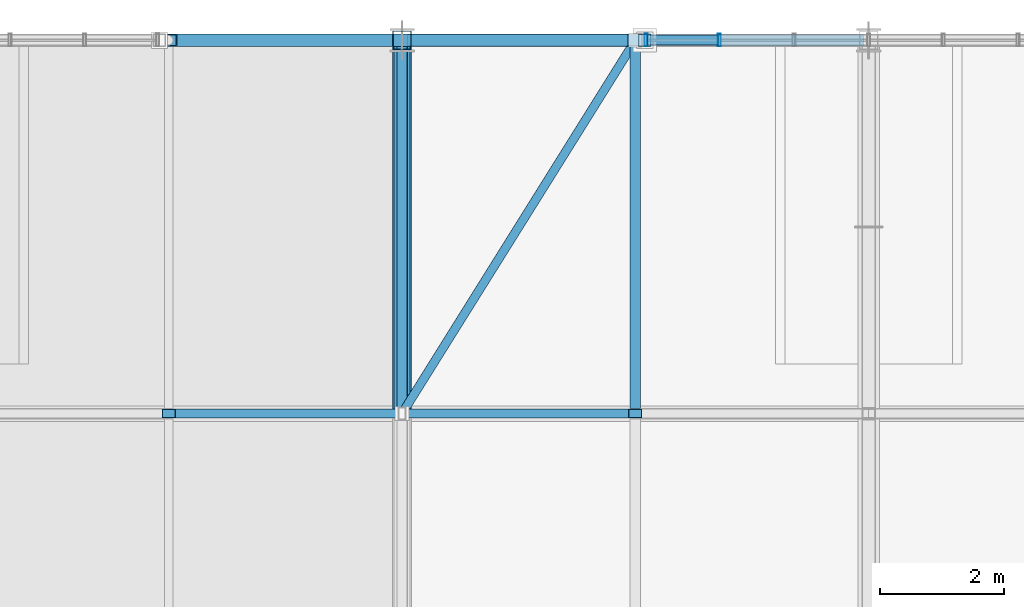
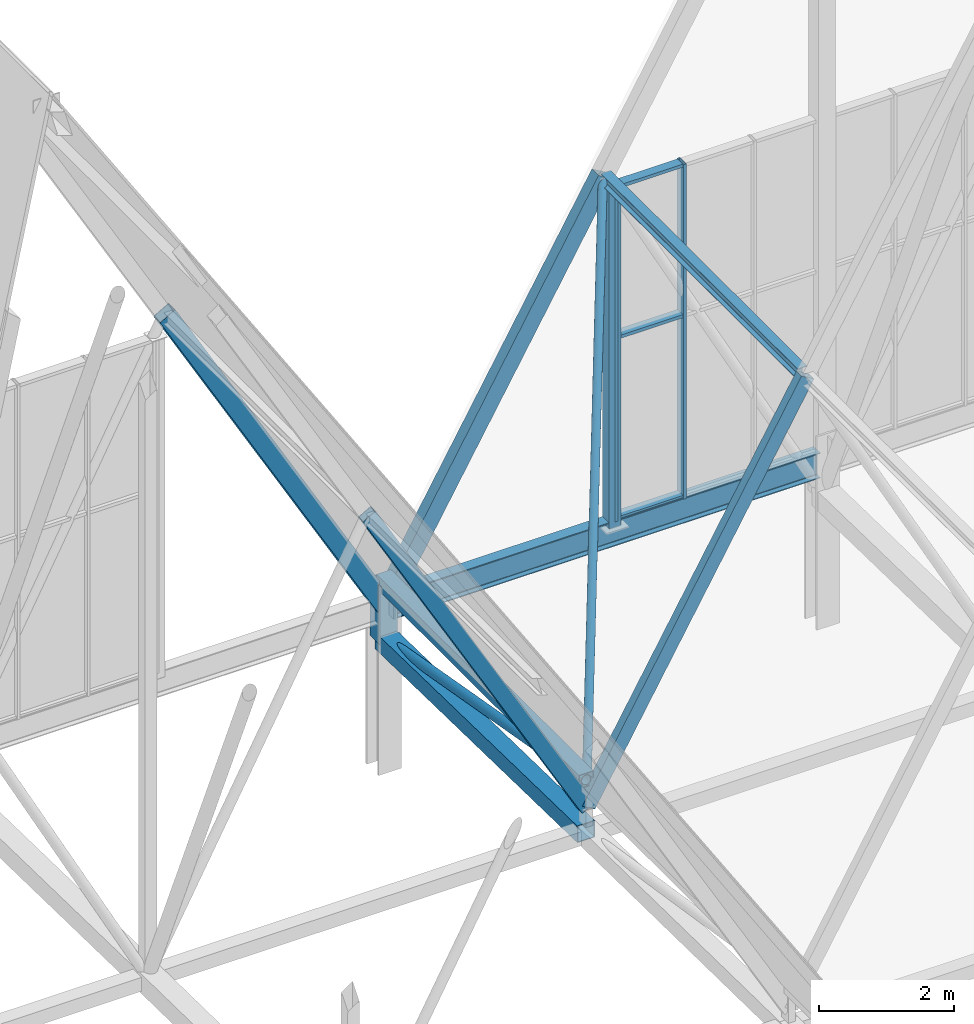
# One storey, part 158 of 324: 15 members, 2 beams, 1 element without a shape of its own.
"""IFC4 building model written with IfcOpenShell, lengths in metres."""

from ifc_helpers import new_model, si_unit, direction, frame, origin, origin_2d, place, context, subcontext, project, spatial, hollow_rectangle, hollow_circle, i_section, extrude, material, layer, layer_set, material_profile, profile_set, type_object, element, aggregate, save


model = new_model("IFC4")

# Units and contexts
model_context = context("Model", 3, precision=1e-05, world=origin(), true_north=direction((0.0, 1.0)))
body_context = subcontext(model_context, "Body", "Model", "MODEL_VIEW")
ifc_project = project(units=[si_unit("LENGTHUNIT", "METRE"), si_unit("AREAUNIT", "SQUARE_METRE"), si_unit("VOLUMEUNIT", "CUBIC_METRE"), si_unit("PLANEANGLEUNIT", "RADIAN"), si_unit("MASSUNIT", "GRAM", prefix="KILO")], contexts=[model_context])

# Site, building, storey
site_placement = place(None, origin())
site = spatial("IfcSite", under=ifc_project, at=site_placement, CompositionType="ELEMENT")
building_placement = place(site_placement, origin())
building = spatial("IfcBuilding", under=site, at=building_placement, Name="Solvenia Promenade Tram Depot", CompositionType="ELEMENT")
storey_placement = place(building_placement, frame((0.0, 0.0, 4.5)))
storey = spatial("IfcBuildingStorey", under=building, at=storey_placement, Name="L01", CompositionType="ELEMENT", Elevation=4.5)

# Curtain wall, members
ifc_material_1 = material(Name="Anodized aluminium AW-6063 T6", Category="aluminium")
ifc_layer = layer(ifc_material_1, 0.14990234375, Name="Anodized aluminium AW-6063 T6", Category="aluminium")
ifc_layer_set = layer_set([ifc_layer], Name="Anodized aluminium AW-6063 T6")
curtain_wall_type = type_object("IfcCurtainWallType", Name="CW-Gable-1200", PredefinedType="NOTDEFINED", material=ifc_layer_set)
curtain_wall_placement = place(storey_placement, origin())
curtain_wall = element("IfcCurtainWall", 1, at=curtain_wall_placement, inside=storey, type_object=curtain_wall_type, Name="North Zigzag Gable 07 Peak Glazing", PredefinedType="NOTDEFINED")
ifc_material_profile_1 = material_profile(ifc_material_1, hollow_rectangle(XDim=0.199951171875, YDim=0.048095703125, WallThickness=0.00390625, at=origin_2d()), Name="ALU-M3", Category="aluminium")
ifc_profile_set_1 = profile_set([ifc_material_profile_1], Name="Anodized aluminium AW-6063 T6")
member_type_1 = type_object("IfcMemberType", Name="CWM-Mullion-3", PredefinedType="MULLION", material=ifc_profile_set_1)
member_1_placement = place(storey_placement, frame((93.924072265625, 126.0, 3.10009765625), z_axis=(0.0, 0.0, 1.0), x_axis=(0.0, 1.0, 0.0)))
member_1 = element("IfcMember", 2, at=member_1_placement, type_object=member_type_1, Name="CW-3 mullion 1", PredefinedType="MULLION", context=body_context, shape_type="SweptSolid", body=[
    extrude(hollow_rectangle(XDim=0.199951171875, YDim=0.048095703125, WallThickness=0.00390625, at=origin_2d()), origin(), (0.0, 0.0, 1.0), 6.0498046875),
])
member_2_placement = place(storey_placement, frame((95.10009765625, 126.0, 3.10009765625), z_axis=(0.0, 0.0, 1.0), x_axis=(0.0, 1.0, 0.0)))
member_2 = element("IfcMember", 3, at=member_2_placement, type_object=member_type_1, Name="CW-3 mullion 2", PredefinedType="MULLION", context=body_context, shape_type="SweptSolid", body=[
    extrude(hollow_rectangle(XDim=0.199951171875, YDim=0.048095703125, WallThickness=0.00390625, at=origin_2d()), origin(), (0.0, 0.0, 1.0), 6.0498046875),
])
ifc_material_profile_2 = material_profile(ifc_material_1, hollow_rectangle(XDim=0.159912109375, YDim=0.05810546875, WallThickness=0.00390625, at=origin_2d()), Name="ALU-T3", Category="aluminium")
ifc_profile_set_2 = profile_set([ifc_material_profile_2], Name="Anodized aluminium AW-6063 T6")
member_type_2 = type_object("IfcMemberType", Name="CWT-Transom-3", PredefinedType="USERDEFINED", material=ifc_profile_set_2)
member_3_placement = place(storey_placement, frame((93.947998046875, 126.0, 3.12890625), z_axis=(1.0, 0.0, 0.0), x_axis=(0.0, 1.0, 0.0)))
member_3 = element("IfcMember", 4, at=member_3_placement, type_object=member_type_2, Name="CW-3 transom 1.1", ObjectType="TRANSOM", PredefinedType="USERDEFINED", context=body_context, shape_type="SweptSolid", body=[
    extrude(hollow_rectangle(XDim=0.159912109375, YDim=0.05810546875, WallThickness=0.00390625, at=origin_2d()), origin(), (0.0, 0.0, 1.0), 1.1279296875),
])
member_4_placement = place(storey_placement, frame((93.947998046875, 126.0, 6.39990234375), z_axis=(1.0, 0.0, 0.0), x_axis=(0.0, 1.0, 0.0)))
member_4 = element("IfcMember", 5, at=member_4_placement, type_object=member_type_2, Name="CW-3 transom 1.2", ObjectType="TRANSOM", PredefinedType="USERDEFINED", context=body_context, shape_type="SweptSolid", body=[
    extrude(hollow_rectangle(XDim=0.159912109375, YDim=0.05810546875, WallThickness=0.00390625, at=origin_2d()), origin(), (0.0, 0.0, 1.0), 1.1279296875),
])
member_5_placement = place(storey_placement, frame((93.947998046875, 126.0, 9.12109375), z_axis=(1.0, 0.0, 0.0), x_axis=(0.0, 1.0, 0.0)))
member_5 = element("IfcMember", 6, at=member_5_placement, type_object=member_type_2, Name="CW-3 transom 1.3", ObjectType="TRANSOM", PredefinedType="USERDEFINED", context=body_context, shape_type="SweptSolid", body=[
    extrude(hollow_rectangle(XDim=0.159912109375, YDim=0.05810546875, WallThickness=0.00390625, at=origin_2d()), origin(), (0.0, 0.0, 1.0), 1.1279296875),
])
aggregate(curtain_wall, [member_1, member_2, member_3, member_4, member_5])

# Members
ifc_material_2 = material(Name="Structural steel ASTM A500 Gr. C", Category="steel")
ifc_material_profile_3 = material_profile(ifc_material_2, hollow_rectangle(XDim=0.14990234375, YDim=0.25, WallThickness=0.010009765625, at=origin_2d()), Name="HSS250x150x10", Category="steel")
ifc_profile_set_3 = profile_set([ifc_material_profile_3], Name="Structural steel ASTM A500 Gr. C")
member_type_3 = type_object("IfcMemberType", Name="Chord-HSS250x150x10", PredefinedType="CHORD", material=ifc_profile_set_3)
member_6_placement = place(storey_placement, frame((86.25, 120.0, 9.501220703125), z_axis=(0.494861595532, 0.0, -0.868971806946), x_axis=(0.0, 1.0, 0.0)))
element("IfcMember", 7, at=member_6_placement, inside=storey, type_object=member_type_3, Name="Zigzag Gable 06 East Lower Rafter", PredefinedType="CHORD", context=body_context, shape_type="SweptSolid", body=[
    extrude(hollow_rectangle(XDim=0.14990234375, YDim=0.25, WallThickness=0.010009765625, at=origin_2d()), origin(), (0.0, 0.0, 1.0), 7.577880859375),
])
member_7_placement = place(storey_placement, frame((90.0, 120.0, 2.921142578125), z_axis=(0.501516268578, 0.0, 0.865148214095), x_axis=(0.0, 1.0, 0.0)))
element("IfcMember", 8, at=member_7_placement, inside=storey, type_object=member_type_3, Name="Zigzag Gable 07 West Lower Rafter", PredefinedType="CHORD", context=body_context, shape_type="SweptSolid", body=[
    extrude(hollow_rectangle(XDim=0.14990234375, YDim=0.25, WallThickness=0.010009765625, at=origin_2d()), origin(), (0.0, 0.0, 1.0), 7.477294921875),
])
ifc_material_profile_4 = material_profile(ifc_material_2, hollow_rectangle(XDim=0.25, YDim=0.25, WallThickness=0.010009765625, at=origin_2d()), Name="HSS250x250x10", Category="steel")
ifc_profile_set_4 = profile_set([ifc_material_profile_4], Name="Structural steel ASTM A500 Gr. C")
member_type_4 = type_object("IfcMemberType", Name="Chord-HSS250x250x10", PredefinedType="CHORD", material=ifc_profile_set_4)
member_8_placement = place(storey_placement, frame((90.0, 120.0, 3.3798828125), z_axis=(0.0, 1.0, 0.0), x_axis=(-1.0, 0.0, 0.0)))
element("IfcMember", 9, at=member_8_placement, inside=storey, type_object=member_type_4, Name="Arched Truss T13 Upper Chord S10", PredefinedType="CHORD", context=body_context, shape_type="SweptSolid", body=[
    extrude(hollow_rectangle(XDim=0.25, YDim=0.25, WallThickness=0.010009765625, at=origin_2d()), origin(), (0.0, 0.0, 1.0), 6.0),
])
ifc_material_profile_5 = material_profile(ifc_material_2, hollow_rectangle(XDim=0.199951171875, YDim=0.300048828125, WallThickness=0.012451171875, at=origin_2d()), Name="HSS300x200x12.5", Category="steel")
ifc_profile_set_5 = profile_set([ifc_material_profile_5], Name="Structural steel ASTM A500 Gr. C")
member_type_5 = type_object("IfcMemberType", Name="Chord-HSS300x200x12", PredefinedType="CHORD", material=ifc_profile_set_5)
member_9_placement = place(storey_placement, frame((86.25, 126.0, 9.501220703125), z_axis=(0.494861595532, 0.0, -0.868971806946), x_axis=(0.0, 1.0, 0.0)))
element("IfcMember", 10, at=member_9_placement, inside=storey, type_object=member_type_5, Name="Zigzag Gable 06 East Lower Rafter", PredefinedType="CHORD", context=body_context, shape_type="SweptSolid", body=[
    extrude(hollow_rectangle(XDim=0.199951171875, YDim=0.300048828125, WallThickness=0.012451171875, at=origin_2d()), origin(), (0.0, 0.0, 1.0), 7.577880859375),
])
member_10_placement = place(storey_placement, frame((90.0, 126.0, 2.921142578125), z_axis=(0.501516268578, 0.0, 0.865148214095), x_axis=(0.0, 1.0, 0.0)))
element("IfcMember", 11, at=member_10_placement, inside=storey, type_object=member_type_5, Name="Zigzag Gable 07 West Lower Rafter", PredefinedType="CHORD", context=body_context, shape_type="SweptSolid", body=[
    extrude(hollow_rectangle(XDim=0.199951171875, YDim=0.300048828125, WallThickness=0.012451171875, at=origin_2d()), origin(), (0.0, 0.0, 1.0), 7.477294921875),
])
ifc_material_profile_6 = material_profile(ifc_material_2, hollow_rectangle(XDim=0.300048828125, YDim=0.300048828125, WallThickness=0.012451171875, at=origin_2d()), Name="HSS300x300x12.5", Category="steel")
ifc_profile_set_6 = profile_set([ifc_material_profile_6], Name="Structural steel ASTM A500 Gr. C")
member_type_6 = type_object("IfcMemberType", Name="Chord-HSS300x300x12", PredefinedType="CHORD", material=ifc_profile_set_6)
member_11_placement = place(storey_placement, frame((90.0, 126.0, 2.320068359375), z_axis=(0.0, 0.0, 1.0), x_axis=(1.0, 0.0, 0.0)))
element("IfcMember", 12, at=member_11_placement, inside=storey, type_object=member_type_6, Name="Arched Truss T13 N End Post", PredefinedType="CHORD", context=body_context, shape_type="SweptSolid", body=[
    extrude(hollow_rectangle(XDim=0.300048828125, YDim=0.300048828125, WallThickness=0.012451171875, at=origin_2d()), origin(), (0.0, 0.0, 1.0), 1.059814453125),
])
member_12_placement = place(storey_placement, frame((90.0, 120.0, 2.446044921875), z_axis=(0.0, 0.999779654873, -0.020991467363), x_axis=(-1.0, 0.0, 0.0)))
element("IfcMember", 13, at=member_12_placement, inside=storey, type_object=member_type_6, Name="Arched Truss T13 Bottom Chord S10", PredefinedType="CHORD", context=body_context, shape_type="SweptSolid", body=[
    extrude(hollow_rectangle(XDim=0.300048828125, YDim=0.300048828125, WallThickness=0.012451171875, at=origin_2d()), origin(), (0.0, 0.0, 1.0), 6.001220703125),
])
ifc_material_profile_7 = material_profile(ifc_material_2, hollow_rectangle(XDim=0.199951171875, YDim=0.199951171875, WallThickness=0.010009765625, at=origin_2d()), Name="HSS200x200x10", Category="steel")
ifc_profile_set_7 = profile_set([ifc_material_profile_7], Name="Structural steel ASTM A500 Gr. C")
member_type_7 = type_object("IfcMemberType", Name="Post-HSS200x200x10", PredefinedType="POST", material=ifc_profile_set_7)
member_13_placement = place(storey_placement, frame((93.89990234375, 126.0, 3.0), z_axis=(0.0, 0.0, 1.0), x_axis=(1.0, 0.0, 0.0)))
element("IfcMember", 14, at=member_13_placement, inside=storey, type_object=member_type_7, Name="Gable Curtain-Wall Steel Jamb Post 025", PredefinedType="POST", context=body_context, shape_type="SweptSolid", body=[
    extrude(hollow_rectangle(XDim=0.199951171875, YDim=0.199951171875, WallThickness=0.010009765625, at=origin_2d()), origin(), (0.0, 0.0, 1.0), 6.14990234375),
])

# Beam
ifc_material_3 = material(Name="Structural steel ASTM A992 Gr. 50", Category="steel")
ifc_material_profile_8 = material_profile(ifc_material_3, i_section(OverallWidth=0.1650390625, OverallDepth=0.200927734375, WebThickness=0.006103515625, FlangeThickness=0.01025390625, FilletRadius=0.010009765625, at=origin_2d()), Name="W200x36", Category="steel")
ifc_profile_set_8 = profile_set([ifc_material_profile_8], Name="Structural steel ASTM A992 Gr. 50")
beam_type_1 = type_object("IfcBeamType", Name="Purlin-W200x36", PredefinedType="USERDEFINED", material=ifc_profile_set_8)
beam_1_placement = place(storey_placement, frame((93.75, 120.0849609375, 9.375732421875), z_axis=(0.0, 1.0, 0.0), x_axis=(-1.0, 0.0, 0.0)))
element("IfcBeam", 15, at=beam_1_placement, inside=storey, type_object=beam_type_1, Name="Gable Roof Purlin W-0139", ObjectType="PURLIN", PredefinedType="USERDEFINED", context=body_context, shape_type="SweptSolid", body=[
    extrude(i_section(OverallWidth=0.1650390625, OverallDepth=0.200927734375, WebThickness=0.006103515625, FlangeThickness=0.01025390625, FilletRadius=0.010009765625, at=origin_2d()), origin(), (0.0, 0.0, 1.0), 5.830078125),
])

# Member
ifc_material_profile_9 = material_profile(ifc_material_2, hollow_circle(Radius=0.06982421875, WallThickness=0.00634765625, at=origin_2d()), Name="CHS139.7x6.3", Category="steel")
ifc_profile_set_9 = profile_set([ifc_material_profile_9], Name="Structural steel ASTM A500 Gr. C")
member_type_8 = type_object("IfcMemberType", Name="RoofBrace-CHS140x6", PredefinedType="BRACE", material=ifc_profile_set_9)
member_14_placement = place(storey_placement, frame((90.0, 120.0, 2.921142578125), z_axis=(0.391155079769, 0.625848127631, 0.674767978428), x_axis=(-0.847998304005, 0.529998940003, 0.0)))
element("IfcMember", 16, at=member_14_placement, inside=storey, type_object=member_type_8, Name="Roof Plan Wind Brace 014", PredefinedType="BRACE", context=body_context, shape_type="SweptSolid", body=[
    extrude(hollow_circle(Radius=0.06982421875, WallThickness=0.00634765625, at=origin_2d()), origin(), (0.0, 0.0, 1.0), 9.5869140625),
])

# Beam
ifc_material_profile_10 = material_profile(ifc_material_3, i_section(OverallWidth=0.19091796875, OverallDepth=0.4599609375, WebThickness=0.010009765625, FlangeThickness=0.01611328125, FilletRadius=0.012939453125, at=origin_2d()), Name="W460x82", Category="steel")
ifc_profile_set_10 = profile_set([ifc_material_profile_10], Name="Structural steel ASTM A992 Gr. 50")
beam_type_2 = type_object("IfcBeamType", Name="Spandrel-W460x82", PredefinedType="SPANDREL", material=ifc_profile_set_10)
beam_2_placement = place(storey_placement, frame((90.0849609375, 126.0, 2.889892578125), z_axis=(1.0, 0.0, 0.0), x_axis=(0.0, 1.0, 0.0)))
element("IfcBeam", 17, at=beam_2_placement, inside=storey, type_object=beam_type_2, Name="North Shed Eave Girder BM-L01-0980", PredefinedType="SPANDREL", context=body_context, shape_type="SweptSolid", body=[
    extrude(i_section(OverallWidth=0.19091796875, OverallDepth=0.4599609375, WebThickness=0.010009765625, FlangeThickness=0.01611328125, FilletRadius=0.012939453125, at=origin_2d()), origin(), (0.0, 0.0, 1.0), 7.330078125),
])

# Member
ifc_material_profile_11 = material_profile(ifc_material_2, hollow_circle(Radius=0.084228515625, WallThickness=0.008056640625, at=origin_2d()), Name="CHS168.3x8", Category="steel")
ifc_profile_set_11 = profile_set([ifc_material_profile_11], Name="Structural steel ASTM A500 Gr. C")
member_type_9 = type_object("IfcMemberType", Name="WebDiag-CHS168x8", PredefinedType="BRACE", material=ifc_profile_set_11)
member_15_placement = place(storey_placement, frame((90.0, 126.0, 2.320068359375), z_axis=(0.0, -0.984755712458, 0.173943056143), x_axis=(1.0, 0.0, 0.0)))
element("IfcMember", 18, at=member_15_placement, inside=storey, type_object=member_type_9, Name="Arched Truss T13 Web Diagonal S10", PredefinedType="BRACE", context=body_context, shape_type="SweptSolid", body=[
    extrude(hollow_circle(Radius=0.084228515625, WallThickness=0.008056640625, at=origin_2d()), origin(), (0.0, 0.0, 1.0), 6.0927734375),
])

save(model, "model.ifc")
